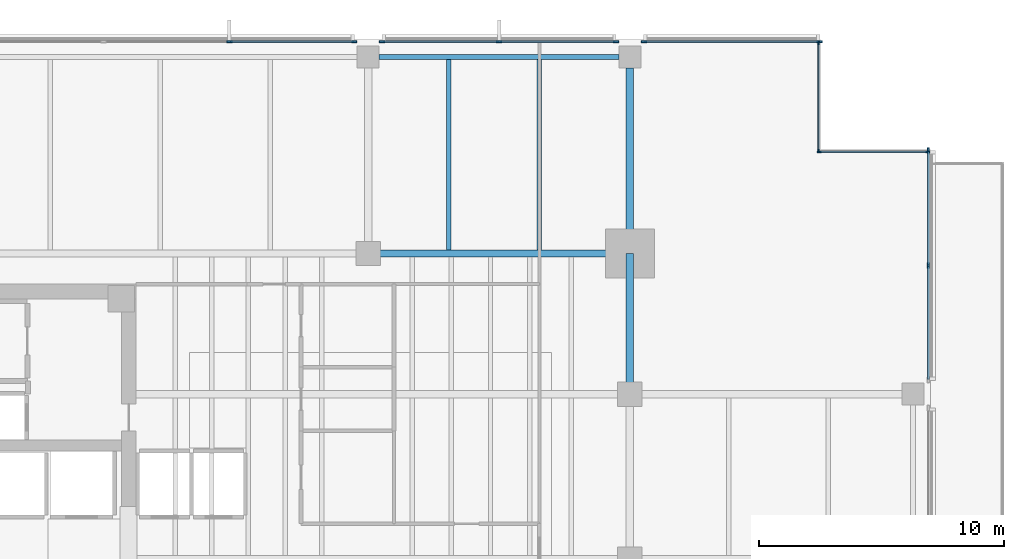
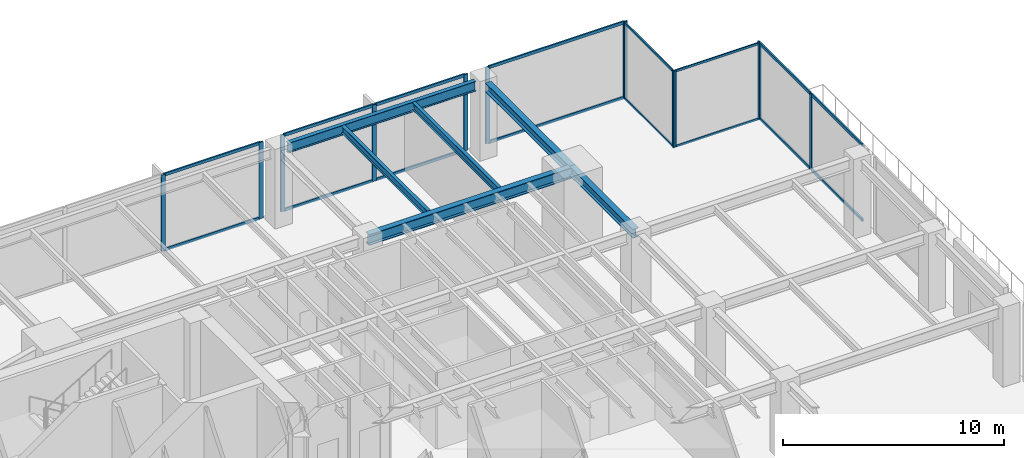
# One storey, part 6 of 14: 29 members, 6 beams, 6 elements without a shape of their own.
"""IFC4 building model written with IfcOpenShell, lengths in metres."""

import ifcopenshell
import ifcopenshell.guid

model = None  # the IFC model being written
_history = None  # IfcOwnerHistory: only IFC2X3 demands one
_inside = {}  # id of a spatial element -> (the spatial element, [elements in it])
_under = {}  # id of a project, library or spatial element -> (it, [spatial elements below it])
_declared = {}  # id of a project -> (the project, [libraries it declares])
_typed = {}  # id of a type object -> (the type object, [elements of that type])
_made_of = {}  # id of a material, layer set ... -> (it, [elements and type objects made of it])


def new_model(schema):
    """Start an empty IFC model of exactly this schema.

    Asked for "IFC4X3", IfcOpenShell would pick the latest addendum, in which some entities
    have other attributes; the version numbers below select the first issue.
    IFC2X3 requires an IfcOwnerHistory on every rooted entity: one is made here for all.
    """
    global model, _history
    if schema == "IFC4X3":
        model = ifcopenshell.file(schema_version=(4, 3, 0, 0))
    else:
        model = ifcopenshell.file(schema=schema)
    _inside.clear()
    _under.clear()
    _declared.clear()
    _typed.clear()
    _made_of.clear()
    _history = None
    if model.schema == "IFC2X3":
        org = make("IfcOrganization", Name="unknown")
        user = make(
            "IfcPersonAndOrganization",
            ThePerson=make("IfcPerson", FamilyName="unknown"),
            TheOrganization=org,
        )
        app = make(
            "IfcApplication",
            ApplicationDeveloper=org,
            Version="unknown",
            ApplicationFullName="unknown",
            ApplicationIdentifier="unknown",
        )
        _history = make(
            "IfcOwnerHistory",
            OwningUser=user,
            OwningApplication=app,
            ChangeAction="ADDED",
            CreationDate=0,
        )
    return model


def make(cls, **values):
    """One entity of the class cls with the attributes given. An attribute that is None is left unset."""
    return model.create_entity(
        cls, **{name: value for name, value in values.items() if value is not None}
    )


def rooted(cls, **values):
    """An entity with a GlobalId (a new one), such as an element, a storey or a relation."""
    return make(cls, GlobalId=ifcopenshell.guid.new(), OwnerHistory=_history, **values)


def si_unit(unit_type, name, prefix=None):
    """IfcSIUnit, for example si_unit("LENGTHUNIT", "METRE", prefix="MILLI")."""
    return make("IfcSIUnit", UnitType=unit_type, Prefix=prefix, Name=name)


def assignment(units):
    """IfcUnitAssignment: the units of a project."""
    return None if units is None else make("IfcUnitAssignment", Units=units)


def point(xyz):
    """IfcCartesianPoint."""
    return None if xyz is None else make("IfcCartesianPoint", Coordinates=xyz)


def direction(xyz):
    """IfcDirection."""
    return None if xyz is None else make("IfcDirection", DirectionRatios=xyz)


def frame(location, z_axis=None, x_axis=None):
    """IfcAxis2Placement3D, a coordinate frame: its origin and axes. An axis left out is left unset."""
    return make(
        "IfcAxis2Placement3D",
        Location=point(location),
        Axis=direction(z_axis),
        RefDirection=direction(x_axis),
    )


def frame_2d(location, x_axis=None):
    """IfcAxis2Placement2D, a coordinate frame in the plane: its origin and x axis."""
    return make(
        "IfcAxis2Placement2D", Location=point(location), RefDirection=direction(x_axis)
    )


def origin():
    """The frame at (0, 0, 0) with its axes left unset."""
    return frame((0.0, 0.0, 0.0))


def origin_2d():
    """The frame at (0, 0) in the plane with its x axis left unset."""
    return frame_2d((0.0, 0.0))


def place(relative_to, where):
    """IfcLocalPlacement: puts the frame where relative to a parent placement (None: the world)."""
    return make(
        "IfcLocalPlacement", PlacementRelTo=relative_to, RelativePlacement=where
    )


def context(
    kind, dimensions, precision=None, world=None, true_north=None, identifier=None
):
    """IfcGeometricRepresentationContext, for example the 3D "Model" context."""
    return make(
        "IfcGeometricRepresentationContext",
        ContextIdentifier=identifier,
        ContextType=kind,
        CoordinateSpaceDimension=dimensions,
        Precision=precision,
        WorldCoordinateSystem=world,
        TrueNorth=true_north,
    )


def subcontext(parent, identifier, kind, view, scale=None):
    """IfcGeometricRepresentationSubContext, for example "Body" below "Model"."""
    return make(
        "IfcGeometricRepresentationSubContext",
        ContextIdentifier=identifier,
        ContextType=kind,
        ParentContext=parent,
        TargetScale=scale,
        TargetView=view,
    )


def project(units=None, contexts=None):
    """IfcProject with its units and contexts."""
    return rooted(
        "IfcProject",
        Name="project",
        RepresentationContexts=contexts,
        UnitsInContext=assignment(units),
    )


def spatial(cls, under=None, at=None, **own):
    """A site, building, storey or space (cls), placed at a placement, below another one or the project."""
    s = rooted(cls, ObjectPlacement=at, **own)
    if under is not None:
        _under.setdefault(under.id(), (under, []))[1].append(s)
    return s


def profile(cls, at=None, kind="AREA", **sizes):
    """A parametric profile (cls). Its sizes go by their IFC names, for example OverallWidth=200.0."""
    return make(cls, ProfileType=kind, Position=at, **sizes)


def rectangle(**sizes):
    """IfcRectangleProfileDef."""
    return profile("IfcRectangleProfileDef", **sizes)


def i_section(**sizes):
    """IfcIShapeProfileDef."""
    return profile("IfcIShapeProfileDef", **sizes)


def extrude(swept, where, along, depth):
    """IfcExtrudedAreaSolid: the profile swept, set in the frame where, extruded along a direction by depth."""
    return make(
        "IfcExtrudedAreaSolid",
        SweptArea=swept,
        Position=where,
        ExtrudedDirection=direction(along),
        Depth=depth,
    )


def shape(context_of_items, identifier, shape_type, items):
    """IfcShapeRepresentation: the items that make up one representation, for example the "Body"."""
    return make(
        "IfcShapeRepresentation",
        ContextOfItems=context_of_items,
        RepresentationIdentifier=identifier,
        RepresentationType=shape_type,
        Items=items,
    )


def material(Name=None, Category=None):
    """IfcMaterial."""
    return make("IfcMaterial", Name=Name, Category=Category)


def layer(
    of_material, thickness, ventilated=None, Name=None, Category=None, Priority=None
):
    """IfcMaterialLayer: one layer of a wall or slab, of a material (None: an air gap)."""
    return make(
        "IfcMaterialLayer",
        Material=of_material,
        LayerThickness=thickness,
        IsVentilated=ventilated,
        Name=Name,
        Category=Category,
        Priority=Priority,
    )


def layer_set(layers, Name=None):
    """IfcMaterialLayerSet."""
    return make("IfcMaterialLayerSet", MaterialLayers=layers, LayerSetName=Name)


def material_profile(
    of_material, cross_section, Name=None, Category=None, Priority=None
):
    """IfcMaterialProfile: a cross section and its material."""
    return make(
        "IfcMaterialProfile",
        Name=Name,
        Material=of_material,
        Profile=cross_section,
        Priority=Priority,
        Category=Category,
    )


def profile_set(profiles, Name=None, composite=None):
    """IfcMaterialProfileSet."""
    return make(
        "IfcMaterialProfileSet",
        Name=Name,
        MaterialProfiles=profiles,
        CompositeProfile=composite,
    )


def made_of(thing, what):
    """Note that an element or type object is made of a material, layer set ...; save() writes the relation."""
    if what is not None:
        _made_of.setdefault(what.id(), (what, []))[1].append(thing)
    return thing


def type_object(cls, material=None, **own):
    """A type object (cls), such as IfcWallType, which elements share."""
    return made_of(rooted(cls, **own), material)


def element(
    cls,
    number,
    at=None,
    inside=None,
    cuts=None,
    type_object=None,
    material=None,
    context=None,
    identifier="Body",
    shape_type=None,
    held_by="IfcProductDefinitionShape",
    body=None,
    shapes=None,
    **own,
):
    """One element of the class cls, such as IfcWall. Its Tag is "e" and its number.

    at: its placement. inside: the storey or other place that contains it. cuts: it is an
    opening in that element (IfcRelVoidsElement). A single representation is given by context,
    identifier, shape_type and body (its items); several are given by shapes. held_by: the class
    of the entity that holds the representations. save() writes the other relations.
    """
    e = rooted(cls, Tag="e%d" % number, ObjectPlacement=at, **own)
    if body is not None:
        shapes = [shape(context, identifier, shape_type, body)]
    if shapes is not None:
        e.Representation = make(held_by, Representations=shapes)
    if inside is not None:
        _inside.setdefault(inside.id(), (inside, []))[1].append(e)
    if cuts is not None:
        rooted(
            "IfcRelVoidsElement", RelatingBuildingElement=cuts, RelatedOpeningElement=e
        )
    if type_object is not None:
        _typed.setdefault(type_object.id(), (type_object, []))[1].append(e)
    return made_of(e, material)


def aggregate(whole, parts):
    """IfcRelAggregates: a whole, such as a stair, and the parts it consists of."""
    return rooted("IfcRelAggregates", RelatingObject=whole, RelatedObjects=parts)


def save(model, path):
    """Write the relations noted so far, then the file.

    IfcRelAggregates (storeys below a building ...), IfcRelContainedInSpatialStructure (elements
    in a storey), IfcRelDefinesByType, IfcRelAssociatesMaterial and IfcRelDeclares: one each for
    every whole, place, type object, material and project.
    """
    for whole, parts in _under.values():
        aggregate(whole, parts)
    for where, things in _inside.values():
        rooted(
            "IfcRelContainedInSpatialStructure",
            RelatedElements=things,
            RelatingStructure=where,
        )
    for kind, things in _typed.values():
        rooted("IfcRelDefinesByType", RelatedObjects=things, RelatingType=kind)
    for what, things in _made_of.values():
        rooted("IfcRelAssociatesMaterial", RelatedObjects=things, RelatingMaterial=what)
    for by, libraries in _declared.values():
        rooted("IfcRelDeclares", RelatingContext=by, RelatedDefinitions=libraries)
    model.write(path)


model = new_model("IFC4")

# Units and contexts
model_context = context("Model", 3, precision=1e-05, world=origin(), true_north=direction((0.0, 1.0)))
body_context = subcontext(model_context, "Body", "Model", "MODEL_VIEW")
ifc_project = project(units=[si_unit("LENGTHUNIT", "METRE"), si_unit("AREAUNIT", "SQUARE_METRE"), si_unit("VOLUMEUNIT", "CUBIC_METRE"), si_unit("PLANEANGLEUNIT", "RADIAN"), si_unit("MASSUNIT", "GRAM", prefix="KILO")], contexts=[model_context])

# Site, building, storey
site_placement = place(None, origin())
site = spatial("IfcSite", under=ifc_project, at=site_placement, CompositionType="ELEMENT")
building_placement = place(site_placement, origin())
building = spatial("IfcBuilding", under=site, at=building_placement, Name="Kinhvarn Gate Tower", CompositionType="ELEMENT")
storey_placement = place(building_placement, frame((0.0, 0.0, 97.85009765625)))
storey = spatial("IfcBuildingStorey", under=building, at=storey_placement, Name="L25", CompositionType="ELEMENT", Elevation=97.85009765625)

# Curtain wall, members
ifc_material_1 = material(Name="Anodised aluminium AW-6063", Category="aluminium")
ifc_layer_1 = layer(ifc_material_1, 0.179931640625)
ifc_layer_set_1 = layer_set([ifc_layer_1], Name="Anodised aluminium AW-6063")
curtain_wall_type_1 = type_object("IfcCurtainWallType", Name="CW-SYS-4", PredefinedType="NOTDEFINED", material=ifc_layer_set_1)
curtain_wall_1_placement = place(storey_placement, origin())
curtain_wall_1 = element("IfcCurtainWall", 1, at=curtain_wall_1_placement, inside=storey, type_object=curtain_wall_type_1, Name="Curtain Wall CW4 (L25)", PredefinedType="NOTDEFINED")
ifc_material_profile_1 = material_profile(ifc_material_1, rectangle(XDim=0.06494140625, YDim=0.159912109375, at=origin_2d()), Name="ALU 65x160")
ifc_profile_set_1 = profile_set([ifc_material_profile_1], Name="Anodised aluminium AW-6063")
member_type_1 = type_object("IfcMemberType", Name="CW-MUL-160", PredefinedType="MULLION", material=ifc_profile_set_1)
member_1_placement = place(storey_placement, frame((50.37744140625, 41.909912109375, 0.0), z_axis=(0.0, 0.0, 1.0), x_axis=(0.0, -1.0, 0.0)))
member_1 = element("IfcMember", 2, at=member_1_placement, type_object=member_type_1, Name="CW4 mullion 1", PredefinedType="MULLION", context=body_context, shape_type="SweptSolid", body=[
    extrude(rectangle(XDim=0.06494140625, YDim=0.159912109375, at=origin_2d()), origin(), (0.0, 0.0, 1.0), 4.219970703125),
])
member_2_placement = place(storey_placement, frame((45.9423828125, 41.909912109375, 0.0), z_axis=(0.0, 0.0, 1.0), x_axis=(0.0, -1.0, 0.0)))
member_2 = element("IfcMember", 3, at=member_2_placement, type_object=member_type_1, Name="CW4 mullion 2", PredefinedType="MULLION", context=body_context, shape_type="SweptSolid", body=[
    extrude(rectangle(XDim=0.06494140625, YDim=0.159912109375, at=origin_2d()), origin(), (0.0, 0.0, 1.0), 4.219970703125),
])

curtain_wall_2_placement = place(storey_placement, origin())
curtain_wall_2 = element("IfcCurtainWall", 4, at=curtain_wall_2_placement, inside=storey, type_object=curtain_wall_type_1, Name="Curtain Wall CW4 (L25)", PredefinedType="NOTDEFINED")
member_3_placement = place(storey_placement, frame((45.909912109375, 41.9423828125, 0.0), z_axis=(0.0, 0.0, 1.0), x_axis=(-1.0, 0.0, 0.0)))
member_3 = element("IfcMember", 5, at=member_3_placement, type_object=member_type_1, Name="CW4 mullion 1", PredefinedType="MULLION", context=body_context, shape_type="SweptSolid", body=[
    extrude(rectangle(XDim=0.06494140625, YDim=0.159912109375, at=origin_2d()), origin(), (0.0, 0.0, 1.0), 4.219970703125),
])
member_4_placement = place(storey_placement, frame((45.909912109375, 46.37744140625, 0.0), z_axis=(0.0, 0.0, 1.0), x_axis=(-1.0, 0.0, 0.0)))
member_4 = element("IfcMember", 6, at=member_4_placement, type_object=member_type_1, Name="CW4 mullion 2", PredefinedType="MULLION", context=body_context, shape_type="SweptSolid", body=[
    extrude(rectangle(XDim=0.06494140625, YDim=0.159912109375, at=origin_2d()), origin(), (0.0, 0.0, 1.0), 4.219970703125),
])

ifc_layer_2 = layer(ifc_material_1, 0.219970703125)
ifc_layer_set_2 = layer_set([ifc_layer_2], Name="Anodised aluminium AW-6063")
curtain_wall_type_2 = type_object("IfcCurtainWallType", Name="CW-SYS-5", PredefinedType="NOTDEFINED", material=ifc_layer_set_2)
curtain_wall_3_placement = place(storey_placement, origin())
curtain_wall_3 = element("IfcCurtainWall", 7, at=curtain_wall_3_placement, inside=storey, type_object=curtain_wall_type_2, Name="Curtain Wall CW5 (L25)", PredefinedType="NOTDEFINED")
ifc_material_profile_2 = material_profile(ifc_material_1, rectangle(XDim=0.080078125, YDim=0.219970703125, at=origin_2d()), Name="ALU 80x220")
ifc_profile_set_2 = profile_set([ifc_material_profile_2], Name="Anodised aluminium AW-6063")
member_type_2 = type_object("IfcMemberType", Name="CW-MUL-220", PredefinedType="MULLION", material=ifc_profile_set_2)
member_5_placement = place(storey_placement, frame((45.9599609375, 46.409912109375, 0.0), z_axis=(0.0, 0.0, 1.0), x_axis=(0.0, -1.0, 0.0)))
member_5 = element("IfcMember", 8, at=member_5_placement, type_object=member_type_2, Name="CW5 mullion 1", PredefinedType="MULLION", context=body_context, shape_type="SweptSolid", body=[
    extrude(rectangle(XDim=0.080078125, YDim=0.219970703125, at=origin_2d()), origin(), (0.0, 0.0, 1.0), 4.219970703125),
])
member_6_placement = place(storey_placement, frame((38.77001953125, 46.409912109375, 0.0), z_axis=(0.0, 0.0, 1.0), x_axis=(0.0, -1.0, 0.0)))
member_6 = element("IfcMember", 9, at=member_6_placement, type_object=member_type_2, Name="CW5 mullion 2", PredefinedType="MULLION", context=body_context, shape_type="SweptSolid", body=[
    extrude(rectangle(XDim=0.080078125, YDim=0.219970703125, at=origin_2d()), origin(), (0.0, 0.0, 1.0), 4.219970703125),
])

curtain_wall_4_placement = place(storey_placement, origin())
curtain_wall_4 = element("IfcCurtainWall", 10, at=curtain_wall_4_placement, inside=storey, type_object=curtain_wall_type_2, Name="Curtain Wall CW5 (L25)", PredefinedType="NOTDEFINED")
member_7_placement = place(storey_placement, frame((37.6298828125, 46.409912109375, 0.0), z_axis=(0.0, 0.0, 1.0), x_axis=(0.0, -1.0, 0.0)))
member_7 = element("IfcMember", 11, at=member_7_placement, type_object=member_type_2, Name="CW5 mullion 1", PredefinedType="MULLION", context=body_context, shape_type="SweptSolid", body=[
    extrude(rectangle(XDim=0.080078125, YDim=0.219970703125, at=origin_2d()), origin(), (0.0, 0.0, 1.0), 4.219970703125),
])
member_8_placement = place(storey_placement, frame((32.85009765625, 46.409912109375, 0.0), z_axis=(0.0, 0.0, 1.0), x_axis=(0.0, -1.0, 0.0)))
member_8 = element("IfcMember", 12, at=member_8_placement, type_object=member_type_2, Name="CW5 mullion 2", PredefinedType="MULLION", context=body_context, shape_type="SweptSolid", body=[
    extrude(rectangle(XDim=0.080078125, YDim=0.219970703125, at=origin_2d()), origin(), (0.0, 0.0, 1.0), 4.219970703125),
])
member_9_placement = place(storey_placement, frame((28.070068359375, 46.409912109375, 0.0), z_axis=(0.0, 0.0, 1.0), x_axis=(0.0, -1.0, 0.0)))
member_9 = element("IfcMember", 13, at=member_9_placement, type_object=member_type_2, Name="CW5 mullion 3", PredefinedType="MULLION", context=body_context, shape_type="SweptSolid", body=[
    extrude(rectangle(XDim=0.080078125, YDim=0.219970703125, at=origin_2d()), origin(), (0.0, 0.0, 1.0), 4.219970703125),
])

curtain_wall_5_placement = place(storey_placement, origin())
curtain_wall_5 = element("IfcCurtainWall", 14, at=curtain_wall_5_placement, inside=storey, type_object=curtain_wall_type_2, Name="Curtain Wall CW5 (L25)", PredefinedType="NOTDEFINED")
member_10_placement = place(storey_placement, frame((26.929931640625, 46.409912109375, 0.0), z_axis=(0.0, 0.0, 1.0), x_axis=(0.0, -1.0, 0.0)))
member_10 = element("IfcMember", 15, at=member_10_placement, type_object=member_type_2, Name="CW5 mullion 1", PredefinedType="MULLION", context=body_context, shape_type="SweptSolid", body=[
    extrude(rectangle(XDim=0.080078125, YDim=0.219970703125, at=origin_2d()), origin(), (0.0, 0.0, 1.0), 4.219970703125),
])
member_11_placement = place(storey_placement, frame((21.8232421875, 46.409912109375, 0.0), z_axis=(0.0, 0.0, 1.0), x_axis=(0.0, -1.0, 0.0)))
member_11 = element("IfcMember", 16, at=member_11_placement, type_object=member_type_2, Name="CW5 mullion 2", PredefinedType="MULLION", context=body_context, shape_type="SweptSolid", body=[
    extrude(rectangle(XDim=0.080078125, YDim=0.219970703125, at=origin_2d()), origin(), (0.0, 0.0, 1.0), 4.219970703125),
])

curtain_wall_6_placement = place(storey_placement, origin())
curtain_wall_6 = element("IfcCurtainWall", 17, at=curtain_wall_6_placement, inside=storey, type_object=curtain_wall_type_2, Name="Curtain Wall CW5 (L25)", PredefinedType="NOTDEFINED")
member_12_placement = place(storey_placement, frame((50.409912109375, 37.264892578125, 0.0), z_axis=(0.0, 0.0, 1.0), x_axis=(-1.0, 0.0, 0.0)))
member_12 = element("IfcMember", 18, at=member_12_placement, type_object=member_type_2, Name="CW5 mullion 2", PredefinedType="MULLION", context=body_context, shape_type="SweptSolid", body=[
    extrude(rectangle(XDim=0.080078125, YDim=0.219970703125, at=origin_2d()), origin(), (0.0, 0.0, 1.0), 4.219970703125),
])
member_13_placement = place(storey_placement, frame((50.409912109375, 41.9599609375, 0.0), z_axis=(0.0, 0.0, 1.0), x_axis=(-1.0, 0.0, 0.0)))
member_13 = element("IfcMember", 19, at=member_13_placement, type_object=member_type_2, Name="CW5 mullion 3", PredefinedType="MULLION", context=body_context, shape_type="SweptSolid", body=[
    extrude(rectangle(XDim=0.080078125, YDim=0.219970703125, at=origin_2d()), origin(), (0.0, 0.0, 1.0), 4.219970703125),
])

# Member
ifc_material_profile_3 = material_profile(ifc_material_1, rectangle(XDim=0.06494140625, YDim=0.1201171875, at=origin_2d()), Name="ALU 65x120")
ifc_profile_set_3 = profile_set([ifc_material_profile_3], Name="Anodised aluminium AW-6063")
member_type_3 = type_object("IfcMemberType", Name="CW-TRN-120", PredefinedType="USERDEFINED", material=ifc_profile_set_3)
member_14_placement = place(storey_placement, frame((50.344970703125, 41.909912109375, 0.032470703125), z_axis=(-1.0, 0.0, 0.0), x_axis=(0.0, -1.0, 0.0)))
member_14 = element("IfcMember", 20, at=member_14_placement, type_object=member_type_3, Name="CW4 transom 1.1", ObjectType="TRANSOM", PredefinedType="USERDEFINED", context=body_context, shape_type="SweptSolid", body=[
    extrude(rectangle(XDim=0.06494140625, YDim=0.1201171875, at=origin_2d()), origin(), (0.0, 0.0, 1.0), 4.369873046875),
])

member_15_placement = place(storey_placement, frame((50.344970703125, 41.909912109375, 4.1875), z_axis=(-1.0, 0.0, 0.0), x_axis=(0.0, -1.0, 0.0)))
member_15 = element("IfcMember", 21, at=member_15_placement, type_object=member_type_3, Name="CW4 transom 1.2", ObjectType="TRANSOM", PredefinedType="USERDEFINED", context=body_context, shape_type="SweptSolid", body=[
    extrude(rectangle(XDim=0.06494140625, YDim=0.1201171875, at=origin_2d()), origin(), (0.0, 0.0, 1.0), 4.369873046875),
])

aggregate(curtain_wall_1, [member_1, member_2, member_14, member_15])

member_16_placement = place(storey_placement, frame((45.909912109375, 41.97509765625, 0.032470703125), z_axis=(0.0, 1.0, 0.0), x_axis=(-1.0, 0.0, 0.0)))
member_16 = element("IfcMember", 22, at=member_16_placement, type_object=member_type_3, Name="CW4 transom 1.1", ObjectType="TRANSOM", PredefinedType="USERDEFINED", context=body_context, shape_type="SweptSolid", body=[
    extrude(rectangle(XDim=0.06494140625, YDim=0.1201171875, at=origin_2d()), origin(), (0.0, 0.0, 1.0), 4.369873046875),
])

member_17_placement = place(storey_placement, frame((45.909912109375, 41.97509765625, 4.1875), z_axis=(0.0, 1.0, 0.0), x_axis=(-1.0, 0.0, 0.0)))
member_17 = element("IfcMember", 23, at=member_17_placement, type_object=member_type_3, Name="CW4 transom 1.2", ObjectType="TRANSOM", PredefinedType="USERDEFINED", context=body_context, shape_type="SweptSolid", body=[
    extrude(rectangle(XDim=0.06494140625, YDim=0.1201171875, at=origin_2d()), origin(), (0.0, 0.0, 1.0), 4.369873046875),
])

aggregate(curtain_wall_2, [member_3, member_4, member_16, member_17])

ifc_material_profile_4 = material_profile(ifc_material_1, rectangle(XDim=0.080078125, YDim=0.159912109375, at=origin_2d()), Name="ALU 80x160")
ifc_profile_set_4 = profile_set([ifc_material_profile_4], Name="Anodised aluminium AW-6063")
member_type_4 = type_object("IfcMemberType", Name="CW-TRN-160", PredefinedType="USERDEFINED", material=ifc_profile_set_4)
member_18_placement = place(storey_placement, frame((45.919921875, 46.409912109375, 0.039794921875), z_axis=(-1.0, 0.0, 0.0), x_axis=(0.0, -1.0, 0.0)))
member_18 = element("IfcMember", 24, at=member_18_placement, type_object=member_type_4, Name="CW5 transom 1.1", ObjectType="TRANSOM", PredefinedType="USERDEFINED", context=body_context, shape_type="SweptSolid", body=[
    extrude(rectangle(XDim=0.080078125, YDim=0.159912109375, at=origin_2d()), origin(), (0.0, 0.0, 1.0), 7.10986328125),
])

member_19_placement = place(storey_placement, frame((45.919921875, 46.409912109375, 4.179931640625), z_axis=(-1.0, 0.0, 0.0), x_axis=(0.0, -1.0, 0.0)))
member_19 = element("IfcMember", 25, at=member_19_placement, type_object=member_type_4, Name="CW5 transom 1.2", ObjectType="TRANSOM", PredefinedType="USERDEFINED", context=body_context, shape_type="SweptSolid", body=[
    extrude(rectangle(XDim=0.080078125, YDim=0.159912109375, at=origin_2d()), origin(), (0.0, 0.0, 1.0), 7.10986328125),
])

aggregate(curtain_wall_3, [member_5, member_6, member_18, member_19])

member_20_placement = place(storey_placement, frame((37.590087890625, 46.409912109375, 0.039794921875), z_axis=(-1.0, 0.0, 0.0), x_axis=(0.0, -1.0, 0.0)))
member_20 = element("IfcMember", 26, at=member_20_placement, type_object=member_type_4, Name="CW5 transom 1.1", ObjectType="TRANSOM", PredefinedType="USERDEFINED", context=body_context, shape_type="SweptSolid", body=[
    extrude(rectangle(XDim=0.080078125, YDim=0.159912109375, at=origin_2d()), origin(), (0.0, 0.0, 1.0), 4.7001953125),
])

member_21_placement = place(storey_placement, frame((37.590087890625, 46.409912109375, 4.179931640625), z_axis=(-1.0, 0.0, 0.0), x_axis=(0.0, -1.0, 0.0)))
member_21 = element("IfcMember", 27, at=member_21_placement, type_object=member_type_4, Name="CW5 transom 1.2", ObjectType="TRANSOM", PredefinedType="USERDEFINED", context=body_context, shape_type="SweptSolid", body=[
    extrude(rectangle(XDim=0.080078125, YDim=0.159912109375, at=origin_2d()), origin(), (0.0, 0.0, 1.0), 4.7001953125),
])

member_22_placement = place(storey_placement, frame((32.81005859375, 46.409912109375, 0.039794921875), z_axis=(-1.0, 0.0, 0.0), x_axis=(0.0, -1.0, 0.0)))
member_22 = element("IfcMember", 28, at=member_22_placement, type_object=member_type_4, Name="CW5 transom 2.1", ObjectType="TRANSOM", PredefinedType="USERDEFINED", context=body_context, shape_type="SweptSolid", body=[
    extrude(rectangle(XDim=0.080078125, YDim=0.159912109375, at=origin_2d()), origin(), (0.0, 0.0, 1.0), 4.699951171875),
])

member_23_placement = place(storey_placement, frame((32.81005859375, 46.409912109375, 4.179931640625), z_axis=(-1.0, 0.0, 0.0), x_axis=(0.0, -1.0, 0.0)))
member_23 = element("IfcMember", 29, at=member_23_placement, type_object=member_type_4, Name="CW5 transom 2.2", ObjectType="TRANSOM", PredefinedType="USERDEFINED", context=body_context, shape_type="SweptSolid", body=[
    extrude(rectangle(XDim=0.080078125, YDim=0.159912109375, at=origin_2d()), origin(), (0.0, 0.0, 1.0), 4.699951171875),
])

aggregate(curtain_wall_4, [member_7, member_8, member_9, member_20, member_21, member_22, member_23])

member_24_placement = place(storey_placement, frame((26.889892578125, 46.409912109375, 0.039794921875), z_axis=(-1.0, 0.0, 0.0), x_axis=(0.0, -1.0, 0.0)))
member_24 = element("IfcMember", 30, at=member_24_placement, type_object=member_type_4, Name="CW5 transom 1.1", ObjectType="TRANSOM", PredefinedType="USERDEFINED", context=body_context, shape_type="SweptSolid", body=[
    extrude(rectangle(XDim=0.080078125, YDim=0.159912109375, at=origin_2d()), origin(), (0.0, 0.0, 1.0), 5.026611328125),
])

member_25_placement = place(storey_placement, frame((26.889892578125, 46.409912109375, 4.179931640625), z_axis=(-1.0, 0.0, 0.0), x_axis=(0.0, -1.0, 0.0)))
member_25 = element("IfcMember", 31, at=member_25_placement, type_object=member_type_4, Name="CW5 transom 1.2", ObjectType="TRANSOM", PredefinedType="USERDEFINED", context=body_context, shape_type="SweptSolid", body=[
    extrude(rectangle(XDim=0.080078125, YDim=0.159912109375, at=origin_2d()), origin(), (0.0, 0.0, 1.0), 5.026611328125),
])

aggregate(curtain_wall_5, [member_10, member_11, member_24, member_25])

member_26_placement = place(storey_placement, frame((50.409912109375, 32.610107421875, 0.039794921875), z_axis=(0.0, 1.0, 0.0), x_axis=(-1.0, 0.0, 0.0)))
member_26 = element("IfcMember", 32, at=member_26_placement, type_object=member_type_4, Name="CW5 transom 1.1", ObjectType="TRANSOM", PredefinedType="USERDEFINED", context=body_context, shape_type="SweptSolid", body=[
    extrude(rectangle(XDim=0.080078125, YDim=0.159912109375, at=origin_2d()), origin(), (0.0, 0.0, 1.0), 4.614990234375),
])

member_27_placement = place(storey_placement, frame((50.409912109375, 32.610107421875, 4.179931640625), z_axis=(0.0, 1.0, 0.0), x_axis=(-1.0, 0.0, 0.0)))
member_27 = element("IfcMember", 33, at=member_27_placement, type_object=member_type_4, Name="CW5 transom 1.2", ObjectType="TRANSOM", PredefinedType="USERDEFINED", context=body_context, shape_type="SweptSolid", body=[
    extrude(rectangle(XDim=0.080078125, YDim=0.159912109375, at=origin_2d()), origin(), (0.0, 0.0, 1.0), 4.614990234375),
])

member_28_placement = place(storey_placement, frame((50.409912109375, 37.304931640625, 0.039794921875), z_axis=(0.0, 1.0, 0.0), x_axis=(-1.0, 0.0, 0.0)))
member_28 = element("IfcMember", 34, at=member_28_placement, type_object=member_type_4, Name="CW5 transom 2.1", ObjectType="TRANSOM", PredefinedType="USERDEFINED", context=body_context, shape_type="SweptSolid", body=[
    extrude(rectangle(XDim=0.080078125, YDim=0.159912109375, at=origin_2d()), origin(), (0.0, 0.0, 1.0), 4.614990234375),
])

member_29_placement = place(storey_placement, frame((50.409912109375, 37.304931640625, 4.179931640625), z_axis=(0.0, 1.0, 0.0), x_axis=(-1.0, 0.0, 0.0)))
member_29 = element("IfcMember", 35, at=member_29_placement, type_object=member_type_4, Name="CW5 transom 2.2", ObjectType="TRANSOM", PredefinedType="USERDEFINED", context=body_context, shape_type="SweptSolid", body=[
    extrude(rectangle(XDim=0.080078125, YDim=0.159912109375, at=origin_2d()), origin(), (0.0, 0.0, 1.0), 4.614990234375),
])

aggregate(curtain_wall_6, [member_12, member_13, member_26, member_27, member_28, member_29])

# Beams
ifc_material_2 = material(Name="Steel S355", Category="steel")
ifc_material_profile_5 = material_profile(ifc_material_2, i_section(OverallWidth=0.300048828125, OverallDepth=0.5, WebThickness=0.014404296875, FlangeThickness=0.028076171875, at=origin_2d()), Name="HEB 500")
ifc_profile_set_5 = profile_set([ifc_material_profile_5], Name="Steel S355")
beam_type_1 = type_object("IfcBeamType", Name="STL-HEB500", PredefinedType="BEAM", material=ifc_profile_set_5)
beam_1_placement = place(storey_placement, frame((38.199951171875, 37.75, 3.969970703125), z_axis=(0.0, 1.0, 0.0), x_axis=(-1.0, 0.0, 0.0)))
element("IfcBeam", 36, at=beam_1_placement, inside=storey, type_object=beam_type_1, Name="Floor Beam PG-14 (L25 MCE-N)", PredefinedType="BEAM", context=body_context, shape_type="SweptSolid", body=[
    extrude(i_section(OverallWidth=0.300048828125, OverallDepth=0.5, WebThickness=0.014404296875, FlangeThickness=0.028076171875, at=origin_2d()), origin(), (0.0, 0.0, 1.0), 7.594970703125),
])
beam_2_placement = place(storey_placement, frame((38.199951171875, 32.0, 3.969970703125), z_axis=(0.0, 1.0, 0.0), x_axis=(-1.0, 0.0, 0.0)))
element("IfcBeam", 37, at=beam_2_placement, inside=storey, type_object=beam_type_1, Name="Floor Beam PG-14 (L25 MG-E-32)", PredefinedType="BEAM", context=body_context, shape_type="SweptSolid", body=[
    extrude(i_section(OverallWidth=0.300048828125, OverallDepth=0.5, WebThickness=0.014404296875, FlangeThickness=0.028076171875, at=origin_2d()), origin(), (0.0, 0.0, 1.0), 5.75),
])
ifc_material_profile_6 = material_profile(ifc_material_2, i_section(OverallWidth=0.300048828125, OverallDepth=0.60009765625, WebThickness=0.015380859375, FlangeThickness=0.030029296875, at=origin_2d()), Name="HEB 600")
ifc_profile_set_6 = profile_set([ifc_material_profile_6], Name="Steel S355")
beam_type_2 = type_object("IfcBeamType", Name="STL-HEB600", PredefinedType="BEAM", material=ifc_profile_set_6)
beam_3_placement = place(storey_placement, frame((27.5, 37.75, 3.919921875), z_axis=(1.0, 0.0, 0.0), x_axis=(0.0, 1.0, 0.0)))
element("IfcBeam", 38, at=beam_3_placement, inside=storey, type_object=beam_type_2, Name="Floor Beam PG-16 (L25 MG-N2)", PredefinedType="BEAM", context=body_context, shape_type="SweptSolid", body=[
    extrude(i_section(OverallWidth=0.300048828125, OverallDepth=0.60009765625, WebThickness=0.015380859375, FlangeThickness=0.030029296875, at=origin_2d()), origin(), (0.0, 0.0, 1.0), 10.699951171875),
])
ifc_material_profile_7 = material_profile(ifc_material_2, i_section(OverallWidth=0.179931640625, OverallDepth=0.39990234375, WebThickness=0.008544921875, FlangeThickness=0.013427734375, at=origin_2d()), Name="IPE 400")
ifc_profile_set_7 = profile_set([ifc_material_profile_7], Name="Steel S355")
beam_type_3 = type_object("IfcBeamType", Name="STL-IPE400", PredefinedType="JOIST", material=ifc_profile_set_7)
for number, where, z_axis, x_axis, name in (
    (39, (30.800048828125, 37.89990234375, 4.02001953125), (0.0, 1.0, 0.0), (-1.0, 0.0, 0.0), "Floor Joist SB-05 (L25 JN-X308)"),
    (40, (34.5, 37.89990234375, 4.02001953125), (0.0, 1.0, 0.0), (-1.0, 0.0, 0.0), "Floor Joist SB-05 (L25 JN-X345)"),
):
    element("IfcBeam", number, at=place(storey_placement, frame(where, z_axis=z_axis, x_axis=x_axis)), inside=storey, type_object=beam_type_3, Name=name, PredefinedType="JOIST", context=body_context, shape_type="SweptSolid", body=[
        extrude(i_section(OverallWidth=0.179931640625, OverallDepth=0.39990234375, WebThickness=0.008544921875, FlangeThickness=0.013427734375, at=origin_2d()), origin(), (0.0, 0.0, 1.0), 7.775146484375),
    ])
ifc_material_profile_8 = material_profile(ifc_material_2, i_section(OverallWidth=0.2099609375, OverallDepth=0.550048828125, WebThickness=0.010986328125, FlangeThickness=0.01708984375, at=origin_2d()), Name="IPE 550")
ifc_profile_set_8 = profile_set([ifc_material_profile_8], Name="Steel S355")
beam_type_4 = type_object("IfcBeamType", Name="STL-IPE550", PredefinedType="SPANDREL", material=ifc_profile_set_8)
beam_4_placement = place(storey_placement, frame((27.93505859375, 45.780029296875, 3.94482421875), z_axis=(1.0, 0.0, 0.0), x_axis=(0.0, 1.0, 0.0)))
element("IfcBeam", 41, at=beam_4_placement, inside=storey, type_object=beam_type_4, Name="Floor Spandrel SB-08 (L25 SP-N2)", PredefinedType="SPANDREL", context=body_context, shape_type="SweptSolid", body=[
    extrude(i_section(OverallWidth=0.2099609375, OverallDepth=0.550048828125, WebThickness=0.010986328125, FlangeThickness=0.01708984375, at=origin_2d()), origin(), (0.0, 0.0, 1.0), 9.829833984375),
])

save(model, "model.ifc")
